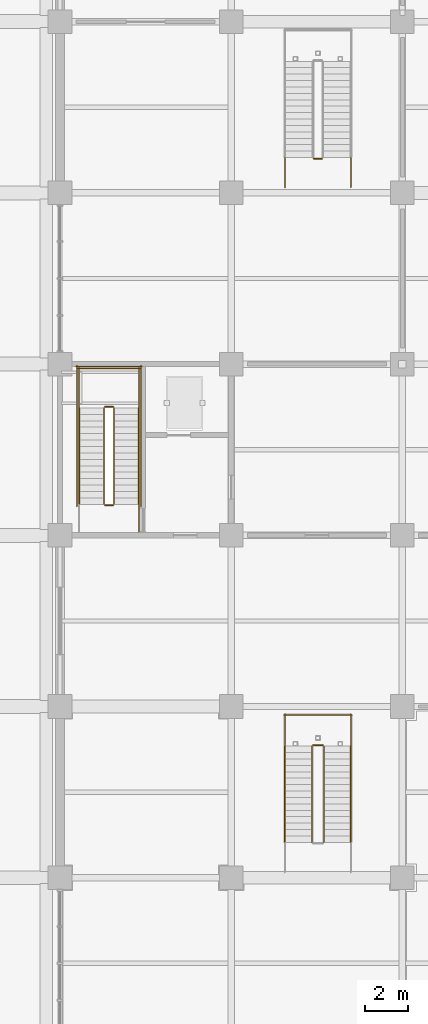
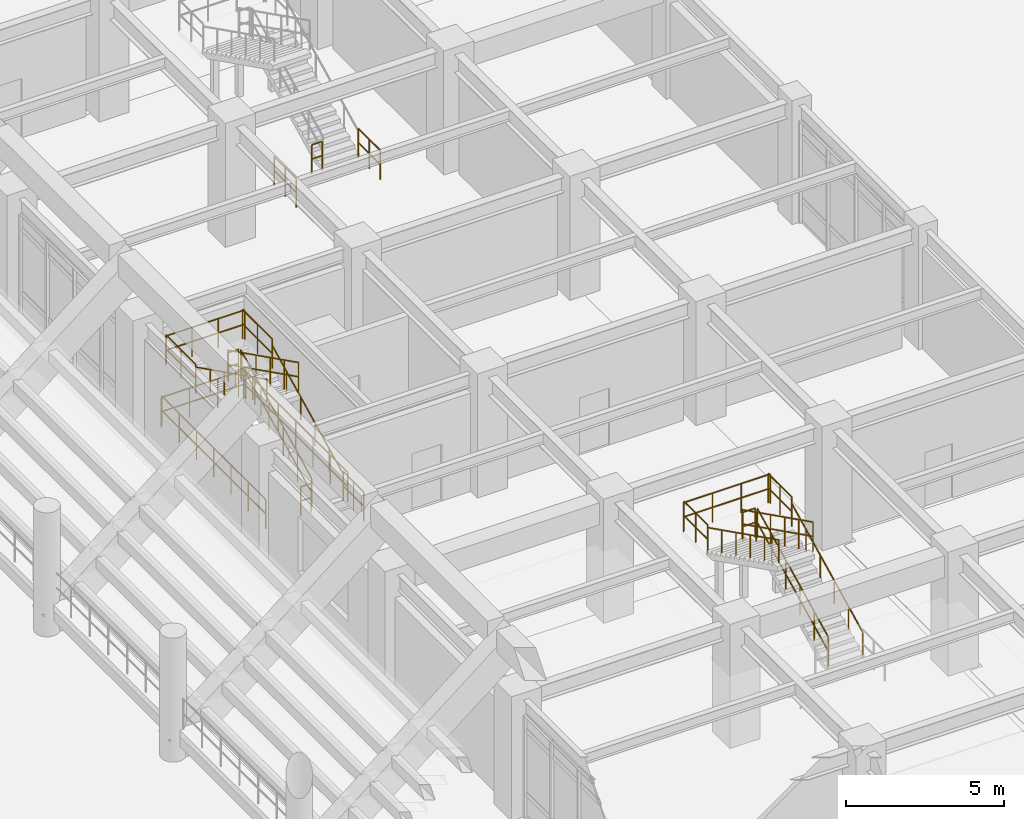
# One storey, part 116 of 125: 24 railings.
"""IFC4 building model written with IfcOpenShell, lengths in metres."""

from ifc_helpers import new_model, si_unit, direction, frame, origin, origin_2d, place, context, subcontext, project, spatial, circle, extrude, material, type_object, element, save


model = new_model("IFC4")

# Units and contexts
model_context = context("Model", 3, precision=1e-05, world=origin(), true_north=direction((0.0, 1.0)))
body_context = subcontext(model_context, "Body", "Model", "MODEL_VIEW")
ifc_project = project(units=[si_unit("LENGTHUNIT", "METRE"), si_unit("AREAUNIT", "SQUARE_METRE"), si_unit("VOLUMEUNIT", "CUBIC_METRE"), si_unit("PLANEANGLEUNIT", "RADIAN"), si_unit("MASSUNIT", "GRAM", prefix="KILO")], contexts=[model_context])

# Site, building, storey
site_placement = place(None, origin())
site = spatial("IfcSite", under=ifc_project, at=site_placement, CompositionType="ELEMENT")
building_placement = place(site_placement, origin())
building = spatial("IfcBuilding", under=site, at=building_placement, Name="Haebicheon Civic Stadium", CompositionType="ELEMENT")
storey_placement = place(building_placement, origin())
storey = spatial("IfcBuildingStorey", under=building, at=storey_placement, Name="L01", CompositionType="ELEMENT", Elevation=0.0)

# Railings
ifc_material_1 = material(Name="Galvanised painted steel SM355", Category="steel")
railing_type_1 = type_object("IfcRailingType", Name="RL-GRD-1150", PredefinedType="GUARDRAIL", material=ifc_material_1)
railing_1_placement = place(storey_placement, frame((146.530029296875, 105.449951171875, 0.14990234375)))
element("IfcRailing", 1, at=railing_1_placement, inside=storey, type_object=railing_type_1, material=ifc_material_1, Name="L01 ST-11 stair guard 1", PredefinedType="GUARDRAIL", context=body_context, shape_type="SweptSolid", body=[
    extrude(circle(Radius=0.02392578125, at=origin_2d()), frame((0.0, 0.0, 1.1259765625), z_axis=(0.0, 0.894427191, 0.4472135955), x_axis=(-1.0, 0.0, 0.0)), (0.0, 0.0, 1.0), 5.03125),
    extrude(circle(Radius=0.02392578125, at=origin_2d()), frame((0.0, 0.0, 0.574951171875), z_axis=(0.0, 0.894427191, 0.4472135955), x_axis=(-1.0, 0.0, 0.0)), (0.0, 0.0, 1.0), 5.03125),
    extrude(circle(Radius=0.02099609375, at=origin_2d()), origin(), (0.0, 0.0, 1.0), 1.101806640625),
    extrude(circle(Radius=0.02099609375, at=origin_2d()), frame((0.0, 0.89990234375, 0.449951171875)), (0.0, 0.0, 1.0), 1.101806640625),
    extrude(circle(Radius=0.02099609375, at=origin_2d()), frame((0.0, 1.800048828125, 0.89990234375)), (0.0, 0.0, 1.0), 1.101806640625),
    extrude(circle(Radius=0.02099609375, at=origin_2d()), frame((0.0, 2.699951171875, 1.35009765625)), (0.0, 0.0, 1.0), 1.101806640625),
    extrude(circle(Radius=0.02099609375, at=origin_2d()), frame((0.0, 3.60009765625, 1.800048828125)), (0.0, 0.0, 1.0), 1.101806640625),
    extrude(circle(Radius=0.02099609375, at=origin_2d()), frame((0.0, 4.5, 2.25)), (0.0, 0.0, 1.0), 1.101806640625),
])
railing_2_placement = place(storey_placement, frame((146.47998046875, 110.0, 2.39990234375)))
element("IfcRailing", 2, at=railing_2_placement, inside=storey, type_object=railing_type_1, material=ifc_material_1, Name="L01 ST-11 stair guard 2", PredefinedType="GUARDRAIL", context=body_context, shape_type="SweptSolid", body=[
    extrude(circle(Radius=0.02392578125, at=origin_2d()), frame((0.0, 0.0, 1.1259765625), z_axis=(-1.0, 0.0, 0.0), x_axis=(0.0, -1.0, 0.0)), (0.0, 0.0, 1.0), 0.3798828125),
    extrude(circle(Radius=0.02392578125, at=origin_2d()), frame((0.0, 0.0, 0.574951171875), z_axis=(-1.0, 0.0, 0.0), x_axis=(0.0, -1.0, 0.0)), (0.0, 0.0, 1.0), 0.3798828125),
    extrude(circle(Radius=0.02099609375, at=origin_2d()), origin(), (0.0, 0.0, 1.0), 1.101806640625),
    extrude(circle(Radius=0.02099609375, at=origin_2d()), frame((-0.3798828125, 0.0, 0.0)), (0.0, 0.0, 1.0), 1.101806640625),
])
for number, where, name in (
    (3, (147.68994140625, 109.949951171875, 2.39990234375), "L01 ST-11 stair guard 3"),
    (4, (144.889892578125, 109.949951171875, 2.39990234375), "L01 ST-11 stair guard 4"),
):
    element("IfcRailing", number, at=place(storey_placement, frame(where)), inside=storey, type_object=railing_type_1, material=ifc_material_1, Name=name, PredefinedType="GUARDRAIL", context=body_context, shape_type="SweptSolid", body=[
        extrude(circle(Radius=0.02392578125, at=origin_2d()), frame((0.0, 0.0, 1.1259765625), z_axis=(0.0, 1.0, 0.0), x_axis=(-1.0, 0.0, 0.0)), (0.0, 0.0, 1.0), 1.89013671875),
        extrude(circle(Radius=0.02392578125, at=origin_2d()), frame((0.0, 0.0, 0.574951171875), z_axis=(0.0, 1.0, 0.0), x_axis=(-1.0, 0.0, 0.0)), (0.0, 0.0, 1.0), 1.89013671875),
        extrude(circle(Radius=0.02099609375, at=origin_2d()), origin(), (0.0, 0.0, 1.0), 1.101806640625),
        extrude(circle(Radius=0.02099609375, at=origin_2d()), frame((0.0, 0.945068359375, 0.0)), (0.0, 0.0, 1.0), 1.101806640625),
        extrude(circle(Radius=0.02099609375, at=origin_2d()), frame((0.0, 1.89013671875, 0.0)), (0.0, 0.0, 1.0), 1.101806640625),
    ])
railing_3_placement = place(storey_placement, frame((147.739990234375, 111.7900390625, 2.39990234375)))
element("IfcRailing", 5, at=railing_3_placement, inside=storey, type_object=railing_type_1, material=ifc_material_1, Name="L01 ST-11 stair guard 5", PredefinedType="GUARDRAIL", context=body_context, shape_type="SweptSolid", body=[
    extrude(circle(Radius=0.02392578125, at=origin_2d()), frame((0.0, 0.0, 1.1259765625), z_axis=(-1.0, 0.0, 0.0), x_axis=(0.0, -1.0, 0.0)), (0.0, 0.0, 1.0), 2.89990234375),
    extrude(circle(Radius=0.02392578125, at=origin_2d()), frame((0.0, 0.0, 0.574951171875), z_axis=(-1.0, 0.0, 0.0), x_axis=(0.0, -1.0, 0.0)), (0.0, 0.0, 1.0), 2.89990234375),
    extrude(circle(Radius=0.02099609375, at=origin_2d()), origin(), (0.0, 0.0, 1.0), 1.101806640625),
    extrude(circle(Radius=0.02099609375, at=origin_2d()), frame((-0.966552734375, 0.0, 0.0)), (0.0, 0.0, 1.0), 1.101806640625),
    extrude(circle(Radius=0.02099609375, at=origin_2d()), frame((-1.933349609375, 0.0, 0.0)), (0.0, 0.0, 1.0), 1.101806640625),
    extrude(circle(Radius=0.02099609375, at=origin_2d()), frame((-2.89990234375, 0.0, 0.0)), (0.0, 0.0, 1.0), 1.101806640625),
])
railing_4_placement = place(storey_placement, frame((146.050048828125, 109.949951171875, 2.550048828125)))
element("IfcRailing", 6, at=railing_4_placement, inside=storey, type_object=railing_type_1, material=ifc_material_1, Name="L01 ST-11 stair guard 6", PredefinedType="GUARDRAIL", context=body_context, shape_type="SweptSolid", body=[
    extrude(circle(Radius=0.02392578125, at=origin_2d()), frame((0.0, 0.0, 1.1259765625), z_axis=(0.0, -0.894427191, 0.4472135955), x_axis=(1.0, 0.0, 0.0)), (0.0, 0.0, 1.0), 5.03125),
    extrude(circle(Radius=0.02392578125, at=origin_2d()), frame((0.0, 0.0, 0.574951171875), z_axis=(0.0, -0.894427191, 0.4472135955), x_axis=(1.0, 0.0, 0.0)), (0.0, 0.0, 1.0), 5.03125),
    extrude(circle(Radius=0.02099609375, at=origin_2d()), origin(), (0.0, 0.0, 1.0), 1.101806640625),
    extrude(circle(Radius=0.02099609375, at=origin_2d()), frame((0.0, -0.89990234375, 0.449951171875)), (0.0, 0.0, 1.0), 1.101806640625),
    extrude(circle(Radius=0.02099609375, at=origin_2d()), frame((0.0, -1.800048828125, 0.89990234375)), (0.0, 0.0, 1.0), 1.101806640625),
    extrude(circle(Radius=0.02099609375, at=origin_2d()), frame((0.0, -2.699951171875, 1.35009765625)), (0.0, 0.0, 1.0), 1.101806640625),
    extrude(circle(Radius=0.02099609375, at=origin_2d()), frame((0.0, -3.60009765625, 1.800048828125)), (0.0, 0.0, 1.0), 1.101806640625),
    extrude(circle(Radius=0.02099609375, at=origin_2d()), frame((0.0, -4.5, 2.25)), (0.0, 0.0, 1.0), 1.101806640625),
])
railing_5_placement = place(storey_placement, frame((146.47998046875, 105.39990234375, 0.0)))
element("IfcRailing", 7, at=railing_5_placement, inside=storey, type_object=railing_type_1, material=ifc_material_1, Name="L01 ST-11 stair guard 7", PredefinedType="GUARDRAIL", context=body_context, shape_type="SweptSolid", body=[
    extrude(circle(Radius=0.02392578125, at=origin_2d()), frame((0.0, 0.0, 1.1259765625), z_axis=(-1.0, 0.0, 0.0), x_axis=(0.0, -1.0, 0.0)), (0.0, 0.0, 1.0), 0.3798828125),
    extrude(circle(Radius=0.02392578125, at=origin_2d()), frame((0.0, 0.0, 0.574951171875), z_axis=(-1.0, 0.0, 0.0), x_axis=(0.0, -1.0, 0.0)), (0.0, 0.0, 1.0), 0.3798828125),
    extrude(circle(Radius=0.02099609375, at=origin_2d()), origin(), (0.0, 0.0, 1.0), 1.101806640625),
    extrude(circle(Radius=0.02099609375, at=origin_2d()), frame((-0.3798828125, 0.0, 0.0)), (0.0, 0.0, 1.0), 1.101806640625),
])
railing_6_placement = place(storey_placement, frame((147.68994140625, 104.159912109375, 0.0)))
element("IfcRailing", 8, at=railing_6_placement, inside=storey, type_object=railing_type_1, material=ifc_material_1, Name="L01 ST-11 stair guard 8", PredefinedType="GUARDRAIL", context=body_context, shape_type="SweptSolid", body=[
    extrude(circle(Radius=0.02392578125, at=origin_2d()), frame((0.0, 0.0, 1.1259765625), z_axis=(0.0, 1.0, 0.0), x_axis=(-1.0, 0.0, 0.0)), (0.0, 0.0, 1.0), 1.2900390625),
    extrude(circle(Radius=0.02392578125, at=origin_2d()), frame((0.0, 0.0, 0.574951171875), z_axis=(0.0, 1.0, 0.0), x_axis=(-1.0, 0.0, 0.0)), (0.0, 0.0, 1.0), 1.2900390625),
    extrude(circle(Radius=0.02099609375, at=origin_2d()), origin(), (0.0, 0.0, 1.0), 1.101806640625),
    extrude(circle(Radius=0.02099609375, at=origin_2d()), frame((0.0, 0.64501953125, 0.0)), (0.0, 0.0, 1.0), 1.101806640625),
    extrude(circle(Radius=0.02099609375, at=origin_2d()), frame((0.0, 1.2900390625, 0.0)), (0.0, 0.0, 1.0), 1.101806640625),
])
for number, where, name in (
    (9, (147.7900390625, 105.35009765625, 0.0), "L01 ST-11 stair guard 10"),
    (10, (144.7900390625, 105.35009765625, 0.0), "L01 ST-11 stair guard 11"),
):
    element("IfcRailing", number, at=place(storey_placement, frame(where)), inside=storey, type_object=railing_type_1, material=ifc_material_1, Name=name, PredefinedType="GUARDRAIL", context=body_context, shape_type="SweptSolid", body=[
        extrude(circle(Radius=0.02392578125, at=origin_2d()), frame((0.0, 0.0, 1.1259765625), z_axis=(0.0, 1.0, 0.0), x_axis=(-1.0, 0.0, 0.0)), (0.0, 0.0, 1.0), 6.58984375),
        extrude(circle(Radius=0.02392578125, at=origin_2d()), frame((0.0, 0.0, 0.574951171875), z_axis=(0.0, 1.0, 0.0), x_axis=(-1.0, 0.0, 0.0)), (0.0, 0.0, 1.0), 6.58984375),
        extrude(circle(Radius=0.02099609375, at=origin_2d()), origin(), (0.0, 0.0, 1.0), 1.101806640625),
        extrude(circle(Radius=0.02099609375, at=origin_2d()), frame((0.0, 1.098388671875, 0.0)), (0.0, 0.0, 1.0), 1.101806640625),
        extrude(circle(Radius=0.02099609375, at=origin_2d()), frame((0.0, 2.196533203125, 0.0)), (0.0, 0.0, 1.0), 1.101806640625),
        extrude(circle(Radius=0.02099609375, at=origin_2d()), frame((0.0, 3.294921875, 0.0)), (0.0, 0.0, 1.0), 1.101806640625),
        extrude(circle(Radius=0.02099609375, at=origin_2d()), frame((0.0, 4.393310546875, 0.0)), (0.0, 0.0, 1.0), 1.101806640625),
        extrude(circle(Radius=0.02099609375, at=origin_2d()), frame((0.0, 5.491455078125, 0.0)), (0.0, 0.0, 1.0), 1.101806640625),
        extrude(circle(Radius=0.02099609375, at=origin_2d()), frame((0.0, 6.58984375, 0.0)), (0.0, 0.0, 1.0), 1.101806640625),
    ])
railing_7_placement = place(storey_placement, frame((147.840087890625, 111.889892578125, 0.0)))
element("IfcRailing", 11, at=railing_7_placement, inside=storey, type_object=railing_type_1, material=ifc_material_1, Name="L01 ST-11 stair guard 12", PredefinedType="GUARDRAIL", context=body_context, shape_type="SweptSolid", body=[
    extrude(circle(Radius=0.02392578125, at=origin_2d()), frame((0.0, 0.0, 1.1259765625), z_axis=(-1.0, 0.0, 0.0), x_axis=(0.0, -1.0, 0.0)), (0.0, 0.0, 1.0), 3.10009765625),
    extrude(circle(Radius=0.02392578125, at=origin_2d()), frame((0.0, 0.0, 0.574951171875), z_axis=(-1.0, 0.0, 0.0), x_axis=(0.0, -1.0, 0.0)), (0.0, 0.0, 1.0), 3.10009765625),
    extrude(circle(Radius=0.02099609375, at=origin_2d()), origin(), (0.0, 0.0, 1.0), 1.101806640625),
    extrude(circle(Radius=0.02099609375, at=origin_2d()), frame((-1.033447265625, 0.0, 0.0)), (0.0, 0.0, 1.0), 1.101806640625),
    extrude(circle(Radius=0.02099609375, at=origin_2d()), frame((-2.066650390625, 0.0, 0.0)), (0.0, 0.0, 1.0), 1.101806640625),
    extrude(circle(Radius=0.02099609375, at=origin_2d()), frame((-3.10009765625, 0.0, 0.0)), (0.0, 0.0, 1.0), 1.101806640625),
])
railing_8_placement = place(storey_placement, frame((156.330078125, 89.64990234375, 0.14990234375)))
element("IfcRailing", 12, at=railing_8_placement, inside=storey, type_object=railing_type_1, material=ifc_material_1, Name="L01 VM-07 stair guard 1", PredefinedType="GUARDRAIL", context=body_context, shape_type="SweptSolid", body=[
    extrude(circle(Radius=0.02392578125, at=origin_2d()), frame((0.0, 0.0, 1.1259765625), z_axis=(0.0, 0.894427191, 0.4472135955), x_axis=(-1.0, 0.0, 0.0)), (0.0, 0.0, 1.0), 5.03125),
    extrude(circle(Radius=0.02392578125, at=origin_2d()), frame((0.0, 0.0, 0.574951171875), z_axis=(0.0, 0.894427191, 0.4472135955), x_axis=(-1.0, 0.0, 0.0)), (0.0, 0.0, 1.0), 5.03125),
    extrude(circle(Radius=0.02099609375, at=origin_2d()), origin(), (0.0, 0.0, 1.0), 1.101806640625),
    extrude(circle(Radius=0.02099609375, at=origin_2d()), frame((0.0, 0.89990234375, 0.449951171875)), (0.0, 0.0, 1.0), 1.101806640625),
    extrude(circle(Radius=0.02099609375, at=origin_2d()), frame((0.0, 1.800048828125, 0.89990234375)), (0.0, 0.0, 1.0), 1.101806640625),
    extrude(circle(Radius=0.02099609375, at=origin_2d()), frame((0.0, 2.699951171875, 1.35009765625)), (0.0, 0.0, 1.0), 1.101806640625),
    extrude(circle(Radius=0.02099609375, at=origin_2d()), frame((0.0, 3.60009765625, 1.800048828125)), (0.0, 0.0, 1.0), 1.101806640625),
    extrude(circle(Radius=0.02099609375, at=origin_2d()), frame((0.0, 4.5, 2.25)), (0.0, 0.0, 1.0), 1.101806640625),
])
railing_9_placement = place(storey_placement, frame((156.280029296875, 94.199951171875, 2.39990234375)))
element("IfcRailing", 13, at=railing_9_placement, inside=storey, type_object=railing_type_1, material=ifc_material_1, Name="L01 VM-07 stair guard 2", PredefinedType="GUARDRAIL", context=body_context, shape_type="SweptSolid", body=[
    extrude(circle(Radius=0.02392578125, at=origin_2d()), frame((0.0, 0.0, 1.1259765625), z_axis=(-1.0, 0.0, 0.0), x_axis=(0.0, -1.0, 0.0)), (0.0, 0.0, 1.0), 0.4599609375),
    extrude(circle(Radius=0.02392578125, at=origin_2d()), frame((0.0, 0.0, 0.574951171875), z_axis=(-1.0, 0.0, 0.0), x_axis=(0.0, -1.0, 0.0)), (0.0, 0.0, 1.0), 0.4599609375),
    extrude(circle(Radius=0.02099609375, at=origin_2d()), origin(), (0.0, 0.0, 1.0), 1.101806640625),
    extrude(circle(Radius=0.02099609375, at=origin_2d()), frame((-0.4599609375, 0.0, 0.0)), (0.0, 0.0, 1.0), 1.101806640625),
])
for number, where, name in (
    (14, (157.590087890625, 94.14990234375, 2.39990234375), "L01 VM-07 stair guard 3"),
    (15, (154.510009765625, 94.14990234375, 2.39990234375), "L01 VM-07 stair guard 4"),
):
    element("IfcRailing", number, at=place(storey_placement, frame(where)), inside=storey, type_object=railing_type_1, material=ifc_material_1, Name=name, PredefinedType="GUARDRAIL", context=body_context, shape_type="SweptSolid", body=[
        extrude(circle(Radius=0.02392578125, at=origin_2d()), frame((0.0, 0.0, 1.1259765625), z_axis=(0.0, 1.0, 0.0), x_axis=(-1.0, 0.0, 0.0)), (0.0, 0.0, 1.0), 1.5),
        extrude(circle(Radius=0.02392578125, at=origin_2d()), frame((0.0, 0.0, 0.574951171875), z_axis=(0.0, 1.0, 0.0), x_axis=(-1.0, 0.0, 0.0)), (0.0, 0.0, 1.0), 1.5),
        extrude(circle(Radius=0.02099609375, at=origin_2d()), origin(), (0.0, 0.0, 1.0), 1.101806640625),
        extrude(circle(Radius=0.02099609375, at=origin_2d()), frame((0.0, 0.75, 0.0)), (0.0, 0.0, 1.0), 1.101806640625),
        extrude(circle(Radius=0.02099609375, at=origin_2d()), frame((0.0, 1.5, 0.0)), (0.0, 0.0, 1.0), 1.101806640625),
    ])
railing_10_placement = place(storey_placement, frame((157.639892578125, 95.60009765625, 2.39990234375)))
element("IfcRailing", 16, at=railing_10_placement, inside=storey, type_object=railing_type_1, material=ifc_material_1, Name="L01 VM-07 stair guard 5", PredefinedType="GUARDRAIL", context=body_context, shape_type="SweptSolid", body=[
    extrude(circle(Radius=0.02392578125, at=origin_2d()), frame((0.0, 0.0, 1.1259765625), z_axis=(-1.0, 0.0, 0.0), x_axis=(0.0, -1.0, 0.0)), (0.0, 0.0, 1.0), 3.179931640625),
    extrude(circle(Radius=0.02392578125, at=origin_2d()), frame((0.0, 0.0, 0.574951171875), z_axis=(-1.0, 0.0, 0.0), x_axis=(0.0, -1.0, 0.0)), (0.0, 0.0, 1.0), 3.179931640625),
    extrude(circle(Radius=0.02099609375, at=origin_2d()), origin(), (0.0, 0.0, 1.0), 1.101806640625),
    extrude(circle(Radius=0.02099609375, at=origin_2d()), frame((-1.06005859375, 0.0, 0.0)), (0.0, 0.0, 1.0), 1.101806640625),
    extrude(circle(Radius=0.02099609375, at=origin_2d()), frame((-2.119873046875, 0.0, 0.0)), (0.0, 0.0, 1.0), 1.101806640625),
    extrude(circle(Radius=0.02099609375, at=origin_2d()), frame((-3.179931640625, 0.0, 0.0)), (0.0, 0.0, 1.0), 1.101806640625),
])
railing_11_placement = place(storey_placement, frame((155.77001953125, 94.14990234375, 2.550048828125)))
element("IfcRailing", 17, at=railing_11_placement, inside=storey, type_object=railing_type_1, material=ifc_material_1, Name="L01 VM-07 stair guard 6", PredefinedType="GUARDRAIL", context=body_context, shape_type="SweptSolid", body=[
    extrude(circle(Radius=0.02392578125, at=origin_2d()), frame((0.0, 0.0, 1.1259765625), z_axis=(0.0, -0.894427191, 0.4472135955), x_axis=(1.0, 0.0, 0.0)), (0.0, 0.0, 1.0), 5.03125),
    extrude(circle(Radius=0.02392578125, at=origin_2d()), frame((0.0, 0.0, 0.574951171875), z_axis=(0.0, -0.894427191, 0.4472135955), x_axis=(1.0, 0.0, 0.0)), (0.0, 0.0, 1.0), 5.03125),
    extrude(circle(Radius=0.02099609375, at=origin_2d()), origin(), (0.0, 0.0, 1.0), 1.101806640625),
    extrude(circle(Radius=0.02099609375, at=origin_2d()), frame((0.0, -0.89990234375, 0.449951171875)), (0.0, 0.0, 1.0), 1.101806640625),
    extrude(circle(Radius=0.02099609375, at=origin_2d()), frame((0.0, -1.800048828125, 0.89990234375)), (0.0, 0.0, 1.0), 1.101806640625),
    extrude(circle(Radius=0.02099609375, at=origin_2d()), frame((0.0, -2.699951171875, 1.35009765625)), (0.0, 0.0, 1.0), 1.101806640625),
    extrude(circle(Radius=0.02099609375, at=origin_2d()), frame((0.0, -3.60009765625, 1.800048828125)), (0.0, 0.0, 1.0), 1.101806640625),
    extrude(circle(Radius=0.02099609375, at=origin_2d()), frame((0.0, -4.5, 2.25)), (0.0, 0.0, 1.0), 1.101806640625),
])
railing_12_placement = place(storey_placement, frame((156.239990234375, 121.60009765625, 0.0)))
element("IfcRailing", 18, at=railing_12_placement, inside=storey, type_object=railing_type_1, material=ifc_material_1, Name="L01 VM-08 stair guard 7", PredefinedType="GUARDRAIL", context=body_context, shape_type="SweptSolid", body=[
    extrude(circle(Radius=0.02392578125, at=origin_2d()), frame((0.0, 0.0, 1.1259765625), z_axis=(-1.0, 0.0, 0.0), x_axis=(0.0, -1.0, 0.0)), (0.0, 0.0, 1.0), 0.3798828125),
    extrude(circle(Radius=0.02392578125, at=origin_2d()), frame((0.0, 0.0, 0.574951171875), z_axis=(-1.0, 0.0, 0.0), x_axis=(0.0, -1.0, 0.0)), (0.0, 0.0, 1.0), 0.3798828125),
    extrude(circle(Radius=0.02099609375, at=origin_2d()), origin(), (0.0, 0.0, 1.0), 1.101806640625),
    extrude(circle(Radius=0.02099609375, at=origin_2d()), frame((-0.3798828125, 0.0, 0.0)), (0.0, 0.0, 1.0), 1.101806640625),
])
for number, where, name in (
    (19, (157.590087890625, 120.25, 0.0), "L01 VM-08 stair guard 8"),
    (20, (154.510009765625, 120.25, 0.0), "L01 VM-08 stair guard 9"),
):
    element("IfcRailing", number, at=place(storey_placement, frame(where)), inside=storey, type_object=railing_type_1, material=ifc_material_1, Name=name, PredefinedType="GUARDRAIL", context=body_context, shape_type="SweptSolid", body=[
        extrude(circle(Radius=0.02392578125, at=origin_2d()), frame((0.0, 0.0, 1.1259765625), z_axis=(0.0, 1.0, 0.0), x_axis=(-1.0, 0.0, 0.0)), (0.0, 0.0, 1.0), 1.39990234375),
        extrude(circle(Radius=0.02392578125, at=origin_2d()), frame((0.0, 0.0, 0.574951171875), z_axis=(0.0, 1.0, 0.0), x_axis=(-1.0, 0.0, 0.0)), (0.0, 0.0, 1.0), 1.39990234375),
        extrude(circle(Radius=0.02099609375, at=origin_2d()), origin(), (0.0, 0.0, 1.0), 1.101806640625),
        extrude(circle(Radius=0.02099609375, at=origin_2d()), frame((0.0, 0.699951171875, 0.0)), (0.0, 0.0, 1.0), 1.101806640625),
        extrude(circle(Radius=0.02099609375, at=origin_2d()), frame((0.0, 1.39990234375, 0.0)), (0.0, 0.0, 1.0), 1.101806640625),
    ])
ifc_material_2 = material(Name="Stainless steel 316", Category="steel")
railing_type_2 = type_object("IfcRailingType", Name="RL-HND-900", PredefinedType="HANDRAIL", material=ifc_material_2)
railing_13_placement = place(storey_placement, frame((147.68994140625, 105.449951171875, 0.14990234375)))
element("IfcRailing", 21, at=railing_13_placement, inside=storey, type_object=railing_type_2, material=ifc_material_2, Name="L01 ST-11 stair handrail 1", PredefinedType="HANDRAIL", context=body_context, shape_type="SweptSolid", body=[
    extrude(circle(Radius=0.02392578125, at=origin_2d()), frame((0.0, 0.0, 0.8759765625), z_axis=(0.0, 0.894427191, 0.4472135955), x_axis=(-1.0, 0.0, 0.0)), (0.0, 0.0, 1.0), 5.03125),
    extrude(circle(Radius=0.02099609375, at=origin_2d()), origin(), (0.0, 0.0, 1.0), 0.851806640625),
    extrude(circle(Radius=0.02099609375, at=origin_2d()), frame((0.0, 0.89990234375, 0.449951171875)), (0.0, 0.0, 1.0), 0.851806640625),
    extrude(circle(Radius=0.02099609375, at=origin_2d()), frame((0.0, 1.800048828125, 0.89990234375)), (0.0, 0.0, 1.0), 0.851806640625),
    extrude(circle(Radius=0.02099609375, at=origin_2d()), frame((0.0, 2.699951171875, 1.35009765625)), (0.0, 0.0, 1.0), 0.851806640625),
    extrude(circle(Radius=0.02099609375, at=origin_2d()), frame((0.0, 3.60009765625, 1.800048828125)), (0.0, 0.0, 1.0), 0.851806640625),
    extrude(circle(Radius=0.02099609375, at=origin_2d()), frame((0.0, 4.5, 2.25)), (0.0, 0.0, 1.0), 0.851806640625),
])
railing_14_placement = place(storey_placement, frame((144.889892578125, 109.949951171875, 2.550048828125)))
element("IfcRailing", 22, at=railing_14_placement, inside=storey, type_object=railing_type_2, material=ifc_material_2, Name="L01 ST-11 stair handrail 2", PredefinedType="HANDRAIL", context=body_context, shape_type="SweptSolid", body=[
    extrude(circle(Radius=0.02392578125, at=origin_2d()), frame((0.0, 0.0, 0.8759765625), z_axis=(0.0, -0.894427191, 0.4472135955), x_axis=(1.0, 0.0, 0.0)), (0.0, 0.0, 1.0), 5.03125),
    extrude(circle(Radius=0.02099609375, at=origin_2d()), origin(), (0.0, 0.0, 1.0), 0.851806640625),
    extrude(circle(Radius=0.02099609375, at=origin_2d()), frame((0.0, -0.89990234375, 0.449951171875)), (0.0, 0.0, 1.0), 0.851806640625),
    extrude(circle(Radius=0.02099609375, at=origin_2d()), frame((0.0, -1.800048828125, 0.89990234375)), (0.0, 0.0, 1.0), 0.851806640625),
    extrude(circle(Radius=0.02099609375, at=origin_2d()), frame((0.0, -2.699951171875, 1.35009765625)), (0.0, 0.0, 1.0), 0.851806640625),
    extrude(circle(Radius=0.02099609375, at=origin_2d()), frame((0.0, -3.60009765625, 1.800048828125)), (0.0, 0.0, 1.0), 0.851806640625),
    extrude(circle(Radius=0.02099609375, at=origin_2d()), frame((0.0, -4.5, 2.25)), (0.0, 0.0, 1.0), 0.851806640625),
])
railing_15_placement = place(storey_placement, frame((157.590087890625, 89.64990234375, 0.14990234375)))
element("IfcRailing", 23, at=railing_15_placement, inside=storey, type_object=railing_type_2, material=ifc_material_2, Name="L01 VM-07 stair handrail 1", PredefinedType="HANDRAIL", context=body_context, shape_type="SweptSolid", body=[
    extrude(circle(Radius=0.02392578125, at=origin_2d()), frame((0.0, 0.0, 0.8759765625), z_axis=(0.0, 0.894427191, 0.4472135955), x_axis=(-1.0, 0.0, 0.0)), (0.0, 0.0, 1.0), 5.03125),
    extrude(circle(Radius=0.02099609375, at=origin_2d()), origin(), (0.0, 0.0, 1.0), 0.851806640625),
    extrude(circle(Radius=0.02099609375, at=origin_2d()), frame((0.0, 0.89990234375, 0.449951171875)), (0.0, 0.0, 1.0), 0.851806640625),
    extrude(circle(Radius=0.02099609375, at=origin_2d()), frame((0.0, 1.800048828125, 0.89990234375)), (0.0, 0.0, 1.0), 0.851806640625),
    extrude(circle(Radius=0.02099609375, at=origin_2d()), frame((0.0, 2.699951171875, 1.35009765625)), (0.0, 0.0, 1.0), 0.851806640625),
    extrude(circle(Radius=0.02099609375, at=origin_2d()), frame((0.0, 3.60009765625, 1.800048828125)), (0.0, 0.0, 1.0), 0.851806640625),
    extrude(circle(Radius=0.02099609375, at=origin_2d()), frame((0.0, 4.5, 2.25)), (0.0, 0.0, 1.0), 0.851806640625),
])
railing_16_placement = place(storey_placement, frame((154.510009765625, 94.14990234375, 2.550048828125)))
element("IfcRailing", 24, at=railing_16_placement, inside=storey, type_object=railing_type_2, material=ifc_material_2, Name="L01 VM-07 stair handrail 2", PredefinedType="HANDRAIL", context=body_context, shape_type="SweptSolid", body=[
    extrude(circle(Radius=0.02392578125, at=origin_2d()), frame((0.0, 0.0, 0.8759765625), z_axis=(0.0, -0.894427191, 0.4472135955), x_axis=(1.0, 0.0, 0.0)), (0.0, 0.0, 1.0), 5.03125),
    extrude(circle(Radius=0.02099609375, at=origin_2d()), origin(), (0.0, 0.0, 1.0), 0.851806640625),
    extrude(circle(Radius=0.02099609375, at=origin_2d()), frame((0.0, -0.89990234375, 0.449951171875)), (0.0, 0.0, 1.0), 0.851806640625),
    extrude(circle(Radius=0.02099609375, at=origin_2d()), frame((0.0, -1.800048828125, 0.89990234375)), (0.0, 0.0, 1.0), 0.851806640625),
    extrude(circle(Radius=0.02099609375, at=origin_2d()), frame((0.0, -2.699951171875, 1.35009765625)), (0.0, 0.0, 1.0), 0.851806640625),
    extrude(circle(Radius=0.02099609375, at=origin_2d()), frame((0.0, -3.60009765625, 1.800048828125)), (0.0, 0.0, 1.0), 0.851806640625),
    extrude(circle(Radius=0.02099609375, at=origin_2d()), frame((0.0, -4.5, 2.25)), (0.0, 0.0, 1.0), 0.851806640625),
])

save(model, "model.ifc")
